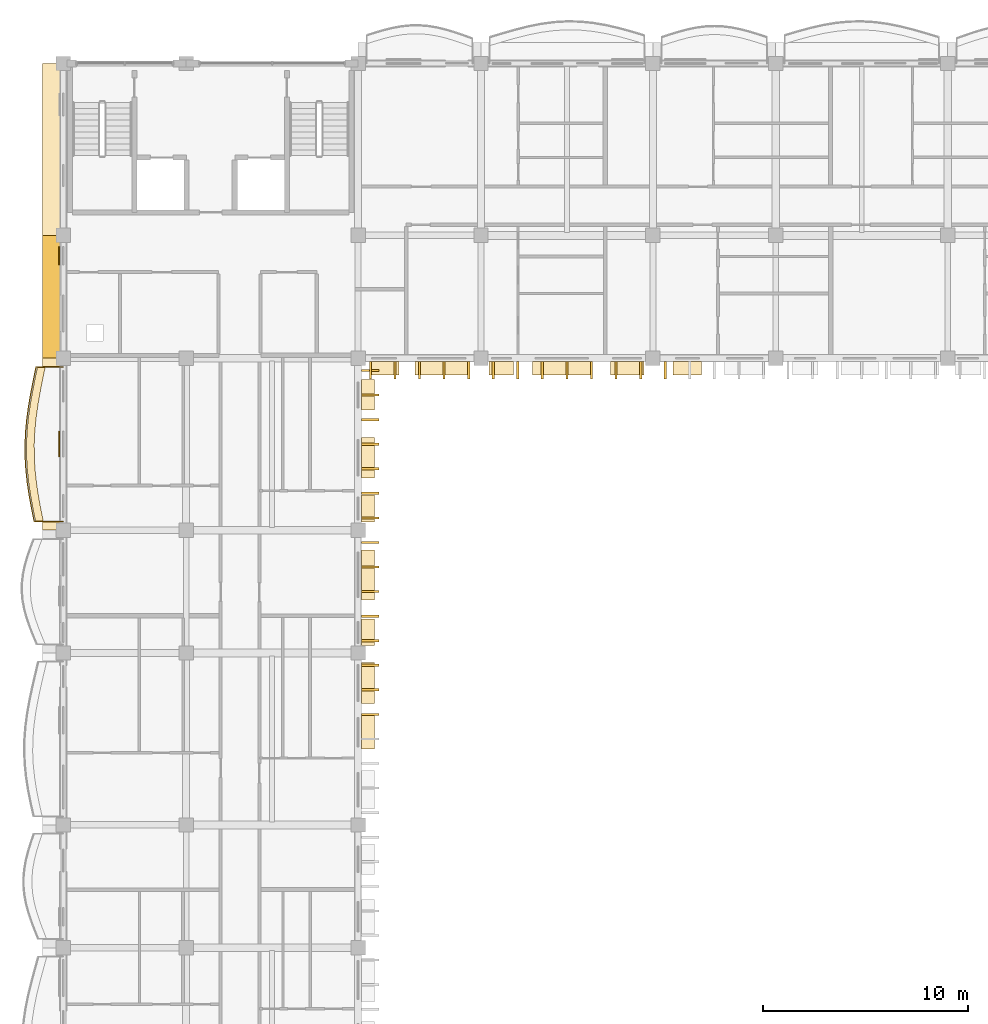
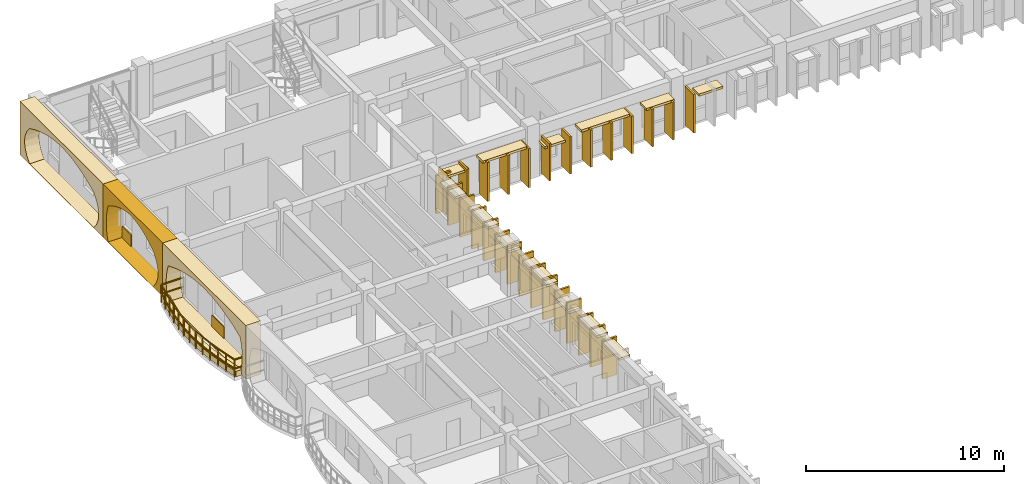
# One storey, part 50 of 70: 47 coverings, 1 railing.
"""IFC4 building model written with IfcOpenShell, lengths in metres."""

from ifc_helpers import new_model, si_unit, direction, frame, origin, origin_2d, place, context, subcontext, project, spatial, polyline, rectangle, outline, extrude, material, layer, layer_set, type_object, element, save


model = new_model("IFC4")

# Units and contexts
model_context = context("Model", 3, precision=1e-05, world=origin(), true_north=direction((0.0, 1.0)))
body_context = subcontext(model_context, "Body", "Model", "MODEL_VIEW")
ifc_project = project(units=[si_unit("LENGTHUNIT", "METRE"), si_unit("AREAUNIT", "SQUARE_METRE"), si_unit("VOLUMEUNIT", "CUBIC_METRE"), si_unit("PLANEANGLEUNIT", "RADIAN"), si_unit("MASSUNIT", "GRAM", prefix="KILO"), si_unit("THERMODYNAMICTEMPERATUREUNIT", "KELVIN")], contexts=[model_context])

# Site, building, storey
site_placement = place(None, origin())
site = spatial("IfcSite", under=ifc_project, at=site_placement, CompositionType="ELEMENT")
building_placement = place(site_placement, origin())
building = spatial("IfcBuilding", under=site, at=building_placement, Name="Thalorik Housing Commons", CompositionType="ELEMENT")
storey_placement = place(building_placement, frame((0.0, 0.0, 14.699951171875)))
storey = spatial("IfcBuildingStorey", under=building, at=storey_placement, Name="L04", CompositionType="ELEMENT", Elevation=14.699951171875)

# Coverings
ifc_material_1 = material(Name="Precast concrete C40/50", Category="concrete")
ifc_layer_1 = layer(ifc_material_1, 0.85009765625, Name="Precast concrete C40/50", Category="concrete")
ifc_layer_set_1 = layer_set([ifc_layer_1], Name="Precast concrete C40/50")
covering_type_1 = type_object("IfcCoveringType", Name="ARC-CLD-CUSH-850", PredefinedType="CLADDING", material=ifc_layer_set_1)
covering_1_placement = place(storey_placement, frame((7.81494140625, 119.39990234375, 0.0), z_axis=(0.0, 0.0, 1.0), x_axis=(0.0, -1.0, 0.0)))
element("IfcCovering", 1, at=covering_1_placement, inside=storey, type_object=covering_type_1, Name="L04 White Precast Curved Cushion Bay Frame 438", PredefinedType="CLADDING", context=body_context, shape_type="SweptSolid", body=[
    extrude(outline(polyline([(-4.199951171875, 0.0), (4.199951171875, 0.0), (4.199951171875, 3.300048828125), (-4.199951171875, 3.300048828125), (-4.199951171875, 0.0)]), holes=[polyline([(3.239990234375, 0.02490234375), (3.523193359375, 0.387451171875), (3.693359375, 0.75), (3.75, 1.112548828125), (3.693359375, 1.47509765625), (3.523193359375, 1.83740234375), (3.239990234375, 2.199951171875), (2.699951171875, 2.455810546875), (2.159912109375, 2.656494140625), (1.6201171875, 2.819091796875), (1.080078125, 2.940185546875), (0.5400390625, 3.014892578125), (0.0, 3.0400390625), (-0.5400390625, 3.014892578125), (-1.080078125, 2.940185546875), (-1.6201171875, 2.819091796875), (-2.159912109375, 2.656494140625), (-2.699951171875, 2.455810546875), (-3.239990234375, 2.199951171875), (-3.523193359375, 1.83740234375), (-3.693359375, 1.47509765625), (-3.75, 1.112548828125), (-3.693359375, 0.75), (-3.523193359375, 0.387451171875), (-3.239990234375, 0.02490234375), (3.239990234375, 0.02490234375)])]), frame((0.0, 0.425048828125, 0.0), z_axis=(0.0, -1.0, 0.0), x_axis=(1.0, 0.0, 0.0)), (0.0, 0.0, 1.0), 0.85009765625),
])
covering_2_placement = place(storey_placement, frame((7.81494140625, 112.199951171875, 0.0), z_axis=(0.0, 0.0, 1.0), x_axis=(0.0, -1.0, 0.0)))
element("IfcCovering", 2, at=covering_2_placement, inside=storey, type_object=covering_type_1, Name="L04 White Precast Curved Cushion Bay Frame 440", PredefinedType="CLADDING", context=body_context, shape_type="SweptSolid", body=[
    extrude(outline(polyline([(-3.0, 0.0), (3.0, 0.0), (3.0, 3.300048828125), (-3.0, 3.300048828125), (-3.0, 0.0)]), holes=[polyline([(2.0400390625, 0.02490234375), (2.3232421875, 0.394287109375), (2.493408203125, 0.76318359375), (2.550048828125, 1.132568359375), (2.493408203125, 1.501708984375), (2.3232421875, 1.870849609375), (2.0400390625, 2.239990234375), (1.661376953125, 2.4833984375), (1.282470703125, 2.6748046875), (0.90380859375, 2.82958984375), (0.52490234375, 2.94482421875), (0.146240234375, 3.01611328125), (-0.232421875, 3.0400390625), (-0.611328125, 3.01611328125), (-0.989990234375, 2.94482421875), (-1.36865234375, 2.82958984375), (-1.74755859375, 2.6748046875), (-2.126220703125, 2.4833984375), (-2.5048828125, 2.239990234375), (-2.609619140625, 1.870849609375), (-2.672119140625, 1.501708984375), (-2.693115234375, 1.132568359375), (-2.672119140625, 0.76318359375), (-2.609619140625, 0.394287109375), (-2.5048828125, 0.02490234375), (2.0400390625, 0.02490234375)])]), frame((0.0, 0.425048828125, 0.0), z_axis=(0.0, -1.0, 0.0), x_axis=(1.0, 0.0, 0.0)), (0.0, 0.0, 1.0), 0.85009765625),
])
covering_3_placement = place(storey_placement, frame((7.81494140625, 105.0, 0.0), z_axis=(0.0, 0.0, 1.0), x_axis=(0.0, -1.0, 0.0)))
element("IfcCovering", 3, at=covering_3_placement, inside=storey, type_object=covering_type_1, Name="L04 White Precast Curved Cushion Bay Frame 442", PredefinedType="CLADDING", context=body_context, shape_type="SweptSolid", body=[
    extrude(outline(polyline([(-4.199951171875, 0.0), (4.199951171875, 0.0), (4.199951171875, 3.300048828125), (-4.199951171875, 3.300048828125), (-4.199951171875, 0.0)]), holes=[polyline([(3.614990234375, 0.02490234375), (3.738525390625, 0.394287109375), (3.8125, 0.76318359375), (3.83740234375, 1.132568359375), (3.8125, 1.501708984375), (3.738525390625, 1.870849609375), (3.614990234375, 2.239990234375), (3.01123046875, 2.4833984375), (2.407470703125, 2.6748046875), (1.8037109375, 2.82958984375), (1.199951171875, 2.94482421875), (0.59619140625, 3.01611328125), (-0.007568359375, 3.0400390625), (-0.611328125, 3.01611328125), (-1.215087890625, 2.94482421875), (-1.818603515625, 2.82958984375), (-2.422607421875, 2.6748046875), (-3.026123046875, 2.4833984375), (-3.6298828125, 2.239990234375), (-3.750244140625, 1.870849609375), (-3.822509765625, 1.501708984375), (-3.8466796875, 1.132568359375), (-3.822509765625, 0.76318359375), (-3.750244140625, 0.394287109375), (-3.6298828125, 0.02490234375), (3.614990234375, 0.02490234375)])]), frame((0.0, 0.425048828125, 0.0), z_axis=(0.0, -1.0, 0.0), x_axis=(1.0, 0.0, 0.0)), (0.0, 0.0, 1.0), 0.85009765625),
])
ifc_layer_2 = layer(ifc_material_1, 0.85009765625, Name="Precast concrete C40/50", Category="concrete")
ifc_layer_set_2 = layer_set([ifc_layer_2], Name="Precast concrete C40/50")
covering_type_2 = type_object("IfcCoveringType", Name="ARC-CLD-FIN-850", PredefinedType="CLADDING", material=ifc_layer_set_2)
for number, where, z_axis, x_axis, name in (
    (4, (23.39990234375, 108.614990234375, 0.0400390625), (0.0, 0.0, 1.0), (1.0, 0.0, 0.0), "L04 Courtyard Precast Vertical Brise-Soleil Fin 370"),
    (5, (24.60009765625, 108.614990234375, 0.0400390625), (0.0, 0.0, 1.0), (1.0, 0.0, 0.0), "L04 Courtyard Precast Vertical Brise-Soleil Fin 371"),
    (6, (25.800048828125, 108.614990234375, 0.0400390625), (0.0, 0.0, 1.0), (1.0, 0.0, 0.0), "L04 Courtyard Precast Vertical Brise-Soleil Fin 372"),
    (7, (27.0, 108.614990234375, 0.0400390625), (0.0, 0.0, 1.0), (1.0, 0.0, 0.0), "L04 Courtyard Precast Vertical Brise-Soleil Fin 373"),
    (8, (28.199951171875, 108.614990234375, 0.0400390625), (0.0, 0.0, 1.0), (1.0, 0.0, 0.0), "L04 Courtyard Precast Vertical Brise-Soleil Fin 374"),
):
    element("IfcCovering", number, at=place(storey_placement, frame(where, z_axis=z_axis, x_axis=x_axis)), inside=storey, type_object=covering_type_2, Name=name, PredefinedType="CLADDING", context=body_context, shape_type="SweptSolid", body=[
        extrude(rectangle(XDim=0.110107421875, YDim=0.85009765625, at=origin_2d()), origin(), (0.0, 0.0, 1.0), 2.39501953125),
    ])
for number, where, z_axis, x_axis, name in (
    (9, (29.39990234375, 108.614990234375, 0.0400390625), (0.0, 0.0, 1.0), (1.0, 0.0, 0.0), "L04 Courtyard Precast Vertical Brise-Soleil Fin 377"),
    (10, (30.60009765625, 108.614990234375, 0.0400390625), (0.0, 0.0, 1.0), (1.0, 0.0, 0.0), "L04 Courtyard Precast Vertical Brise-Soleil Fin 378"),
    (11, (31.800048828125, 108.614990234375, 0.0400390625), (0.0, 0.0, 1.0), (1.0, 0.0, 0.0), "L04 Courtyard Precast Vertical Brise-Soleil Fin 379"),
    (12, (33.0, 108.614990234375, 0.0400390625), (0.0, 0.0, 1.0), (1.0, 0.0, 0.0), "L04 Courtyard Precast Vertical Brise-Soleil Fin 380"),
    (13, (34.199951171875, 108.614990234375, 0.0400390625), (0.0, 0.0, 1.0), (1.0, 0.0, 0.0), "L04 Courtyard Precast Vertical Brise-Soleil Fin 381"),
    (14, (35.39990234375, 108.614990234375, 0.0400390625), (0.0, 0.0, 1.0), (1.0, 0.0, 0.0), "L04 Courtyard Precast Vertical Brise-Soleil Fin 382"),
    (15, (36.60009765625, 108.614990234375, 0.0400390625), (0.0, 0.0, 1.0), (1.0, 0.0, 0.0), "L04 Courtyard Precast Vertical Brise-Soleil Fin 383"),
):
    element("IfcCovering", number, at=place(storey_placement, frame(where, z_axis=z_axis, x_axis=x_axis)), inside=storey, type_object=covering_type_2, Name=name, PredefinedType="CLADDING", context=body_context, shape_type="SweptSolid", body=[
        extrude(rectangle(XDim=0.110107421875, YDim=0.85009765625, at=origin_2d()), origin(), (0.0, 0.0, 1.0), 2.294921875),
    ])
covering_4_placement = place(storey_placement, frame((37.800048828125, 108.614990234375, 0.0400390625), z_axis=(0.0, 0.0, 1.0), x_axis=(1.0, 0.0, 0.0)))
element("IfcCovering", 16, at=covering_4_placement, inside=storey, type_object=covering_type_2, Name="L04 Courtyard Precast Vertical Brise-Soleil Fin 387", PredefinedType="CLADDING", context=body_context, shape_type="SweptSolid", body=[
    extrude(rectangle(XDim=0.110107421875, YDim=0.85009765625, at=origin_2d()), origin(), (0.0, 0.0, 1.0), 2.39501953125),
])
for number, where, z_axis, x_axis, name in (
    (17, (23.385009765625, 91.800048828125, 0.0400390625), (0.0, 0.0, 1.0), (0.0, 1.0, 0.0), "L04 Courtyard Precast Vertical Brise-Soleil Fin 490"),
    (18, (23.385009765625, 93.0, 0.0400390625), (0.0, 0.0, 1.0), (0.0, 1.0, 0.0), "L04 Courtyard Precast Vertical Brise-Soleil Fin 491"),
    (19, (23.385009765625, 94.199951171875, 0.0400390625), (0.0, 0.0, 1.0), (0.0, 1.0, 0.0), "L04 Courtyard Precast Vertical Brise-Soleil Fin 492"),
):
    element("IfcCovering", number, at=place(storey_placement, frame(where, z_axis=z_axis, x_axis=x_axis)), inside=storey, type_object=covering_type_2, Name=name, PredefinedType="CLADDING", context=body_context, shape_type="SweptSolid", body=[
        extrude(rectangle(XDim=0.110107421875, YDim=0.85009765625, at=origin_2d()), origin(), (0.0, 0.0, 1.0), 2.344970703125),
    ])
for number, where, z_axis, x_axis, name in (
    (20, (23.385009765625, 95.39990234375, 0.0400390625), (0.0, 0.0, 1.0), (0.0, 1.0, 0.0), "L04 Courtyard Precast Vertical Brise-Soleil Fin 496"),
    (21, (23.385009765625, 96.60009765625, 0.0400390625), (0.0, 0.0, 1.0), (0.0, 1.0, 0.0), "L04 Courtyard Precast Vertical Brise-Soleil Fin 497"),
    (22, (23.385009765625, 97.800048828125, 0.0400390625), (0.0, 0.0, 1.0), (0.0, 1.0, 0.0), "L04 Courtyard Precast Vertical Brise-Soleil Fin 498"),
    (23, (23.385009765625, 99.0, 0.0400390625), (0.0, 0.0, 1.0), (0.0, 1.0, 0.0), "L04 Courtyard Precast Vertical Brise-Soleil Fin 499"),
    (24, (23.385009765625, 100.199951171875, 0.0400390625), (0.0, 0.0, 1.0), (0.0, 1.0, 0.0), "L04 Courtyard Precast Vertical Brise-Soleil Fin 500"),
):
    element("IfcCovering", number, at=place(storey_placement, frame(where, z_axis=z_axis, x_axis=x_axis)), inside=storey, type_object=covering_type_2, Name=name, PredefinedType="CLADDING", context=body_context, shape_type="SweptSolid", body=[
        extrude(rectangle(XDim=0.110107421875, YDim=0.85009765625, at=origin_2d()), origin(), (0.0, 0.0, 1.0), 2.4951171875),
    ])
for number, where, z_axis, x_axis, name in (
    (25, (23.385009765625, 101.39990234375, 0.0400390625), (0.0, 0.0, 1.0), (0.0, 1.0, 0.0), "L04 Courtyard Precast Vertical Brise-Soleil Fin 503"),
    (26, (23.385009765625, 102.60009765625, 0.0400390625), (0.0, 0.0, 1.0), (0.0, 1.0, 0.0), "L04 Courtyard Precast Vertical Brise-Soleil Fin 504"),
    (27, (23.385009765625, 103.800048828125, 0.0400390625), (0.0, 0.0, 1.0), (0.0, 1.0, 0.0), "L04 Courtyard Precast Vertical Brise-Soleil Fin 505"),
    (28, (23.385009765625, 105.0, 0.0400390625), (0.0, 0.0, 1.0), (0.0, 1.0, 0.0), "L04 Courtyard Precast Vertical Brise-Soleil Fin 506"),
    (29, (23.385009765625, 106.199951171875, 0.0400390625), (0.0, 0.0, 1.0), (0.0, 1.0, 0.0), "L04 Courtyard Precast Vertical Brise-Soleil Fin 507"),
    (30, (23.385009765625, 107.39990234375, 0.0400390625), (0.0, 0.0, 1.0), (0.0, 1.0, 0.0), "L04 Courtyard Precast Vertical Brise-Soleil Fin 508"),
    (31, (23.385009765625, 108.60009765625, 0.0400390625), (0.0, 0.0, 1.0), (0.0, 1.0, 0.0), "L04 Courtyard Precast Vertical Brise-Soleil Fin 509"),
):
    element("IfcCovering", number, at=place(storey_placement, frame(where, z_axis=z_axis, x_axis=x_axis)), inside=storey, type_object=covering_type_2, Name=name, PredefinedType="CLADDING", context=body_context, shape_type="SweptSolid", body=[
        extrude(rectangle(XDim=0.110107421875, YDim=0.85009765625, at=origin_2d()), origin(), (0.0, 0.0, 1.0), 2.344970703125),
    ])
ifc_layer_3 = layer(ifc_material_1, 0.64990234375, Name="Precast concrete C40/50", Category="concrete")
ifc_layer_set_3 = layer_set([ifc_layer_3], Name="Precast concrete C40/50")
covering_type_3 = type_object("IfcCoveringType", Name="ARC-CLD-HOOD-650", PredefinedType="CLADDING", material=ifc_layer_set_3)
covering_5_placement = place(storey_placement, frame((24.070068359375, 108.715087890625, 2.14013671875), z_axis=(0.0, 0.0, 1.0), x_axis=(1.0, 0.0, 0.0)))
element("IfcCovering", 32, at=covering_5_placement, inside=storey, type_object=covering_type_3, Name="L04 Courtyard Precast Window Sun-Hood 375", PredefinedType="CLADDING", context=body_context, shape_type="SweptSolid", body=[
    extrude(rectangle(XDim=1.43994140625, YDim=0.64990234375, at=origin_2d()), origin(), (0.0, 0.0, 1.0), 0.139892578125),
])
covering_6_placement = place(storey_placement, frame((26.8798828125, 108.715087890625, 2.3251953125), z_axis=(0.0, 0.0, 1.0), x_axis=(1.0, 0.0, 0.0)))
element("IfcCovering", 33, at=covering_6_placement, inside=storey, type_object=covering_type_3, Name="L04 Courtyard Precast Window Sun-Hood 376", PredefinedType="CLADDING", context=body_context, shape_type="SweptSolid", body=[
    extrude(rectangle(XDim=2.590087890625, YDim=0.64990234375, at=origin_2d()), origin(), (0.0, 0.0, 1.0), 0.139892578125),
])
covering_7_placement = place(storey_placement, frame((29.800048828125, 108.715087890625, 1.93994140625), z_axis=(0.0, 0.0, 1.0), x_axis=(1.0, 0.0, 0.0)))
element("IfcCovering", 34, at=covering_7_placement, inside=storey, type_object=covering_type_3, Name="L04 Courtyard Precast Window Sun-Hood 384", PredefinedType="CLADDING", context=body_context, shape_type="SweptSolid", body=[
    extrude(rectangle(XDim=1.18994140625, YDim=0.64990234375, at=origin_2d()), origin(), (0.0, 0.0, 1.0), 0.139892578125),
])
covering_8_placement = place(storey_placement, frame((32.739990234375, 108.715087890625, 2.22509765625), z_axis=(0.0, 0.0, 1.0), x_axis=(1.0, 0.0, 0.0)))
element("IfcCovering", 35, at=covering_8_placement, inside=storey, type_object=covering_type_3, Name="L04 Courtyard Precast Window Sun-Hood 385", PredefinedType="CLADDING", context=body_context, shape_type="SweptSolid", body=[
    extrude(rectangle(XDim=2.820068359375, YDim=0.64990234375, at=origin_2d()), origin(), (0.0, 0.0, 1.0), 0.139892578125),
])
covering_9_placement = place(storey_placement, frame((35.93994140625, 108.715087890625, 2.22509765625), z_axis=(0.0, 0.0, 1.0), x_axis=(1.0, 0.0, 0.0)))
element("IfcCovering", 36, at=covering_9_placement, inside=storey, type_object=covering_type_3, Name="L04 Courtyard Precast Window Sun-Hood 386", PredefinedType="CLADDING", context=body_context, shape_type="SweptSolid", body=[
    extrude(rectangle(XDim=1.639892578125, YDim=0.64990234375, at=origin_2d()), origin(), (0.0, 0.0, 1.0), 0.139892578125),
])
covering_10_placement = place(storey_placement, frame((38.882568359375, 108.715087890625, 2.0400390625), z_axis=(0.0, 0.0, 1.0), x_axis=(1.0, 0.0, 0.0)))
element("IfcCovering", 37, at=covering_10_placement, inside=storey, type_object=covering_type_3, Name="L04 Courtyard Precast Window Sun-Hood 392", PredefinedType="CLADDING", context=body_context, shape_type="SweptSolid", body=[
    extrude(rectangle(XDim=1.389892578125, YDim=0.64990234375, at=origin_2d()), origin(), (0.0, 0.0, 1.0), 0.139892578125),
])
covering_11_placement = place(storey_placement, frame((23.284912109375, 90.934326171875, 2.169921875), z_axis=(0.0, 0.0, 1.0), x_axis=(0.0, 1.0, 0.0)))
element("IfcCovering", 38, at=covering_11_placement, inside=storey, type_object=covering_type_3, Name="L04 Courtyard Precast Window Sun-Hood 494", PredefinedType="CLADDING", context=body_context, shape_type="SweptSolid", body=[
    extrude(rectangle(XDim=1.659912109375, YDim=0.64990234375, at=origin_2d()), origin(), (0.0, 0.0, 1.0), 0.139892578125),
])
covering_12_placement = place(storey_placement, frame((23.284912109375, 93.338134765625, 2.2099609375), z_axis=(0.0, 0.0, 1.0), x_axis=(0.0, 1.0, 0.0)))
element("IfcCovering", 39, at=covering_12_placement, inside=storey, type_object=covering_type_3, Name="L04 Courtyard Precast Window Sun-Hood 495", PredefinedType="CLADDING", context=body_context, shape_type="SweptSolid", body=[
    extrude(rectangle(XDim=2.02001953125, YDim=0.64990234375, at=origin_2d()), origin(), (0.0, 0.0, 1.0), 0.139892578125),
])
covering_13_placement = place(storey_placement, frame((23.284912109375, 95.804931640625, 1.990234375), z_axis=(0.0, 0.0, 1.0), x_axis=(0.0, 1.0, 0.0)))
element("IfcCovering", 40, at=covering_13_placement, inside=storey, type_object=covering_type_3, Name="L04 Courtyard Precast Window Sun-Hood 501", PredefinedType="CLADDING", context=body_context, shape_type="SweptSolid", body=[
    extrude(rectangle(XDim=1.2900390625, YDim=0.64990234375, at=origin_2d()), origin(), (0.0, 0.0, 1.0), 0.139892578125),
])
covering_14_placement = place(storey_placement, frame((23.284912109375, 98.614990234375, 2.2900390625), z_axis=(0.0, 0.0, 1.0), x_axis=(0.0, 1.0, 0.0)))
element("IfcCovering", 41, at=covering_14_placement, inside=storey, type_object=covering_type_3, Name="L04 Courtyard Precast Window Sun-Hood 502", PredefinedType="CLADDING", context=body_context, shape_type="SweptSolid", body=[
    extrude(rectangle(XDim=2.43994140625, YDim=0.64990234375, at=origin_2d()), origin(), (0.0, 0.0, 1.0), 0.139892578125),
])
covering_15_placement = place(storey_placement, frame((23.284912109375, 101.85791015625, 2.09033203125), z_axis=(0.0, 0.0, 1.0), x_axis=(0.0, 1.0, 0.0)))
element("IfcCovering", 42, at=covering_15_placement, inside=storey, type_object=covering_type_3, Name="L04 Courtyard Precast Window Sun-Hood 510", PredefinedType="CLADDING", context=body_context, shape_type="SweptSolid", body=[
    extrude(rectangle(XDim=1.340087890625, YDim=0.64990234375, at=origin_2d()), origin(), (0.0, 0.0, 1.0), 0.139892578125),
])
covering_16_placement = place(storey_placement, frame((23.284912109375, 104.331787109375, 2.240234375), z_axis=(0.0, 0.0, 1.0), x_axis=(0.0, 1.0, 0.0)))
element("IfcCovering", 43, at=covering_16_placement, inside=storey, type_object=covering_type_3, Name="L04 Courtyard Precast Window Sun-Hood 511", PredefinedType="CLADDING", context=body_context, shape_type="SweptSolid", body=[
    extrude(rectangle(XDim=1.989990234375, YDim=0.64990234375, at=origin_2d()), origin(), (0.0, 0.0, 1.0), 0.139892578125),
])
covering_17_placement = place(storey_placement, frame((23.284912109375, 107.40380859375, 2.09033203125), z_axis=(0.0, 0.0, 1.0), x_axis=(0.0, 1.0, 0.0)))
element("IfcCovering", 44, at=covering_17_placement, inside=storey, type_object=covering_type_3, Name="L04 Courtyard Precast Window Sun-Hood 512", PredefinedType="CLADDING", context=body_context, shape_type="SweptSolid", body=[
    extrude(rectangle(XDim=1.489990234375, YDim=0.64990234375, at=origin_2d()), origin(), (0.0, 0.0, 1.0), 0.139892578125),
])
ifc_material_2 = material(Name="Terracotta red mineral fibre-cement panel", Category="masonry")
ifc_layer_4 = layer(ifc_material_2, 0.054931640625, Name="Terracotta red mineral fibre-cement panel", Category="masonry")
ifc_layer_set_4 = layer_set([ifc_layer_4], Name="Terracotta red mineral fibre-cement panel")
covering_type_4 = type_object("IfcCoveringType", Name="ARC-CLD-RED-55", PredefinedType="CLADDING", material=ifc_layer_set_4)
covering_18_placement = place(storey_placement, frame((8.20751953125, 105.0048828125, 0.05029296875), z_axis=(0.0, 0.0, 1.0), x_axis=(0.0, -1.0, 0.0)))
element("IfcCovering", 45, at=covering_18_placement, inside=storey, type_object=covering_type_4, Name="L04 De Stijl Recessed Window Spandrel 443", PredefinedType="CLADDING", context=body_context, shape_type="SweptSolid", body=[
    extrude(rectangle(XDim=1.25, YDim=0.054931640625, at=origin_2d()), origin(), (0.0, 0.0, 1.0), 0.699951171875),
])
ifc_material_3 = material(Name="Mineral ochre architectural terracotta panel", Category="masonry")
ifc_layer_5 = layer(ifc_material_3, 0.06494140625, Name="Mineral ochre architectural terracotta panel", Category="masonry")
ifc_layer_set_5 = layer_set([ifc_layer_5], Name="Mineral ochre architectural terracotta panel")
covering_type_5 = type_object("IfcCoveringType", Name="ARC-CLD-YEL-65", PredefinedType="CLADDING", material=ifc_layer_set_5)
covering_19_placement = place(storey_placement, frame((8.202392578125, 114.205078125, 0.05029296875), z_axis=(0.0, 0.0, 1.0), x_axis=(0.0, -1.0, 0.0)))
element("IfcCovering", 46, at=covering_19_placement, inside=storey, type_object=covering_type_5, Name="L04 De Stijl Recessed Window Spandrel 441", PredefinedType="CLADDING", context=body_context, shape_type="SweptSolid", body=[
    extrude(rectangle(XDim=0.89990234375, YDim=0.06494140625, at=origin_2d()), origin(), (0.0, 0.0, 1.0), 0.699951171875),
])
ifc_material_4 = material(Name="Planted vegetated substrate and terracotta trough", Category="masonry")
ifc_layer_6 = layer(ifc_material_4, 0.340087890625, Name="Planted vegetated substrate and terracotta trough", Category="masonry")
ifc_layer_set_6 = layer_set([ifc_layer_6], Name="Planted vegetated substrate and terracotta trough")
covering_type_6 = type_object("IfcCoveringType", Name="ARC-COV-PLANTER", PredefinedType="USERDEFINED", material=ifc_layer_set_6)
covering_20_placement = place(storey_placement, origin())
element("IfcCovering", 47, at=covering_20_placement, inside=storey, type_object=covering_type_6, Name="L04 Balcony Slab-Edge Planted Trough 5346", ObjectType="PLANTER", PredefinedType="USERDEFINED", context=body_context, shape_type="SweptSolid", body=[
    extrude(outline(polyline([(7.1376953125, 108.780029296875), (7.0087890625, 108.14990234375), (6.885498046875, 107.52001953125), (6.7763671875, 106.889892578125), (6.6884765625, 106.260009765625), (6.6279296875, 105.6298828125), (6.598876953125, 105.0), (6.603271484375, 104.3701171875), (6.640869140625, 103.739990234375), (6.70947265625, 103.110107421875), (6.80419921875, 102.47998046875), (6.91943359375, 101.85009765625), (7.047119140625, 101.219970703125), (7.427001953125, 101.219970703125), (7.29931640625, 101.85009765625), (7.184326171875, 102.47998046875), (7.08935546875, 103.110107421875), (7.02099609375, 103.739990234375), (6.9833984375, 104.3701171875), (6.97900390625, 105.0), (7.008056640625, 105.6298828125), (7.068603515625, 106.260009765625), (7.15625, 106.889892578125), (7.265380859375, 107.52001953125), (7.388671875, 108.14990234375), (7.517822265625, 108.780029296875), (7.1376953125, 108.780029296875)])), origin(), (0.0, 0.0, 1.0), 0.340087890625),
])

# Railing
ifc_material_5 = material(Name="Steel S355", Category="steel")
railing_type = type_object("IfcRailingType", Name="ARC-RL-BAL-112", PredefinedType="BALUSTRADE", material=ifc_material_5)
railing_placement = place(storey_placement, frame((8.39990234375, 108.780029296875, 0.0)))
element("IfcRailing", 48, at=railing_placement, inside=storey, type_object=railing_type, Name="L04 Cushion Balcony Guardrail 30", PredefinedType="BALUSTRADE", context=body_context, shape_type="SweptSolid", body=[
    extrude(rectangle(XDim=0.050048828125, YDim=0.050048828125, at=origin_2d()), frame((0.0, 0.0, 1.09521484375), z_axis=(-1.0, 0.0, 0.0), x_axis=(0.0, -1.0, 0.0)), (0.0, 0.0, 1.0), 1.33203125),
    extrude(rectangle(XDim=0.050048828125, YDim=0.050048828125, at=origin_2d()), frame((0.0, 0.0, 0.53515625), z_axis=(-1.0, 0.0, 0.0), x_axis=(0.0, -1.0, 0.0)), (0.0, 0.0, 1.0), 1.33203125),
    extrude(rectangle(XDim=0.050048828125, YDim=0.050048828125, at=origin_2d()), frame((-1.33203125, 0.0, 1.09521484375), z_axis=(-0.200785373927, -0.979635255397, 0.0), x_axis=(0.979635255397, -0.200785373927, 0.0)), (0.0, 0.0, 1.0), 0.643310546875),
    extrude(rectangle(XDim=0.050048828125, YDim=0.050048828125, at=origin_2d()), frame((-1.33203125, 0.0, 0.53515625), z_axis=(-0.200785373927, -0.979635255397, 0.0), x_axis=(0.979635255397, -0.200785373927, 0.0)), (0.0, 0.0, 1.0), 0.643310546875),
    extrude(rectangle(XDim=0.050048828125, YDim=0.050048828125, at=origin_2d()), frame((-1.461181640625, -0.630126953125, 1.09521484375), z_axis=(-0.192091248087, -0.981377069433, 0.0), x_axis=(0.981377069433, -0.192091248087, 0.0)), (0.0, 0.0, 1.0), 0.641845703125),
    extrude(rectangle(XDim=0.050048828125, YDim=0.050048828125, at=origin_2d()), frame((-1.461181640625, -0.630126953125, 0.53515625), z_axis=(-0.192091248087, -0.981377069433, 0.0), x_axis=(0.981377069433, -0.192091248087, 0.0)), (0.0, 0.0, 1.0), 0.641845703125),
    extrude(rectangle(XDim=0.050048828125, YDim=0.050048828125, at=origin_2d()), frame((-1.58447265625, -1.260009765625, 1.09521484375), z_axis=(-0.170648353941, -0.985331994455, 0.0), x_axis=(0.985331994455, -0.170648353941, 0.0)), (0.0, 0.0, 1.0), 0.639404296875),
    extrude(rectangle(XDim=0.050048828125, YDim=0.050048828125, at=origin_2d()), frame((-1.58447265625, -1.260009765625, 0.53515625), z_axis=(-0.170648353941, -0.985331994455, 0.0), x_axis=(0.985331994455, -0.170648353941, 0.0)), (0.0, 0.0, 1.0), 0.639404296875),
    extrude(rectangle(XDim=0.050048828125, YDim=0.050048828125, at=origin_2d()), frame((-1.693603515625, -1.89013671875, 1.09521484375), z_axis=(-0.138196031911, -0.990404895365, 0.0), x_axis=(0.990404895365, -0.138196031911, 0.0)), (0.0, 0.0, 1.0), 0.635986328125),
    extrude(rectangle(XDim=0.050048828125, YDim=0.050048828125, at=origin_2d()), frame((-1.693603515625, -1.89013671875, 0.53515625), z_axis=(-0.138196031911, -0.990404895365, 0.0), x_axis=(0.990404895365, -0.138196031911, 0.0)), (0.0, 0.0, 1.0), 0.635986328125),
    extrude(rectangle(XDim=0.050048828125, YDim=0.050048828125, at=origin_2d()), frame((-1.781494140625, -2.52001953125, 1.09521484375), z_axis=(-0.095264103918, -0.995452033252, 0.0), x_axis=(0.995452033252, -0.095264103918, 0.0)), (0.0, 0.0, 1.0), 0.633056640625),
    extrude(rectangle(XDim=0.050048828125, YDim=0.050048828125, at=origin_2d()), frame((-1.781494140625, -2.52001953125, 0.53515625), z_axis=(-0.095264103918, -0.995452033252, 0.0), x_axis=(0.995452033252, -0.095264103918, 0.0)), (0.0, 0.0, 1.0), 0.633056640625),
    extrude(rectangle(XDim=0.050048828125, YDim=0.050048828125, at=origin_2d()), frame((-1.841796875, -3.150146484375, 1.09521484375), z_axis=(-0.046461399352, -0.998920086078, 0.0), x_axis=(0.998920086078, -0.046461399352, 0.0)), (0.0, 0.0, 1.0), 0.630615234375),
    extrude(rectangle(XDim=0.050048828125, YDim=0.050048828125, at=origin_2d()), frame((-1.841796875, -3.150146484375, 0.53515625), z_axis=(-0.046461399352, -0.998920086078, 0.0), x_axis=(0.998920086078, -0.046461399352, 0.0)), (0.0, 0.0, 1.0), 0.630615234375),
    extrude(rectangle(XDim=0.050048828125, YDim=0.050048828125, at=origin_2d()), frame((-1.87109375, -3.780029296875, 1.09521484375), z_axis=(0.006976574396, -0.999975663409, 0.0), x_axis=(0.999975663409, 0.006976574396, 0.0)), (0.0, 0.0, 1.0), 0.6298828125),
    extrude(rectangle(XDim=0.050048828125, YDim=0.050048828125, at=origin_2d()), frame((-1.87109375, -3.780029296875, 0.53515625), z_axis=(0.006976574396, -0.999975663409, 0.0), x_axis=(0.999975663409, 0.006976574396, 0.0)), (0.0, 0.0, 1.0), 0.6298828125),
    extrude(rectangle(XDim=0.050048828125, YDim=0.050048828125, at=origin_2d()), frame((-1.86669921875, -4.409912109375, 1.09521484375), z_axis=(0.059560867898, -0.998224675619, 0.0), x_axis=(0.998224675619, 0.059560867898, 0.0)), (0.0, 0.0, 1.0), 0.63134765625),
    extrude(rectangle(XDim=0.050048828125, YDim=0.050048828125, at=origin_2d()), frame((-1.86669921875, -4.409912109375, 0.53515625), z_axis=(0.059560867898, -0.998224675619, 0.0), x_axis=(0.998224675619, 0.059560867898, 0.0)), (0.0, 0.0, 1.0), 0.63134765625),
    extrude(rectangle(XDim=0.050048828125, YDim=0.050048828125, at=origin_2d()), frame((-1.8291015625, -5.0400390625, 1.09521484375), z_axis=(0.108274423732, -0.994121043518, 0.0), x_axis=(0.994121043518, 0.108274423732, 0.0)), (0.0, 0.0, 1.0), 0.633544921875),
    extrude(rectangle(XDim=0.050048828125, YDim=0.050048828125, at=origin_2d()), frame((-1.8291015625, -5.0400390625, 0.53515625), z_axis=(0.108274423732, -0.994121043518, 0.0), x_axis=(0.994121043518, 0.108274423732, 0.0)), (0.0, 0.0, 1.0), 0.633544921875),
    extrude(rectangle(XDim=0.050048828125, YDim=0.050048828125, at=origin_2d()), frame((-1.760498046875, -5.669921875, 1.09521484375), z_axis=(0.149033591629, -0.988832133664, 0.0), x_axis=(0.988832133664, 0.149033591629, 0.0)), (0.0, 0.0, 1.0), 0.63720703125),
    extrude(rectangle(XDim=0.050048828125, YDim=0.050048828125, at=origin_2d()), frame((-1.760498046875, -5.669921875, 0.53515625), z_axis=(0.149033591629, -0.988832133664, 0.0), x_axis=(0.988832133664, 0.149033591629, 0.0)), (0.0, 0.0, 1.0), 0.63720703125),
    extrude(rectangle(XDim=0.050048828125, YDim=0.050048828125, at=origin_2d()), frame((-1.66552734375, -6.300048828125, 1.09521484375), z_axis=(0.1795900258, -0.983741542598, 0.0), x_axis=(0.983741542598, 0.1795900258, 0.0)), (0.0, 0.0, 1.0), 0.640380859375),
    extrude(rectangle(XDim=0.050048828125, YDim=0.050048828125, at=origin_2d()), frame((-1.66552734375, -6.300048828125, 0.53515625), z_axis=(0.1795900258, -0.983741542598, 0.0), x_axis=(0.983741542598, 0.1795900258, 0.0)), (0.0, 0.0, 1.0), 0.640380859375),
    extrude(rectangle(XDim=0.050048828125, YDim=0.050048828125, at=origin_2d()), frame((-1.550537109375, -6.929931640625, 1.09521484375), z_axis=(0.198598350989, -0.980080963484, 0.0), x_axis=(0.980080963484, 0.198598350989, 0.0)), (0.0, 0.0, 1.0), 0.642822265625),
    extrude(rectangle(XDim=0.050048828125, YDim=0.050048828125, at=origin_2d()), frame((-1.550537109375, -6.929931640625, 0.53515625), z_axis=(0.198598350989, -0.980080963484, 0.0), x_axis=(0.980080963484, 0.198598350989, 0.0)), (0.0, 0.0, 1.0), 0.642822265625),
    extrude(rectangle(XDim=0.050048828125, YDim=0.050048828125, at=origin_2d()), frame((-1.4228515625, -7.56005859375, 1.09521484375), z_axis=(1.0, 0.0, 0.0), x_axis=(0.0, 1.0, 0.0)), (0.0, 0.0, 1.0), 1.4228515625),
    extrude(rectangle(XDim=0.050048828125, YDim=0.050048828125, at=origin_2d()), frame((-1.4228515625, -7.56005859375, 0.53515625), z_axis=(1.0, 0.0, 0.0), x_axis=(0.0, 1.0, 0.0)), (0.0, 0.0, 1.0), 1.4228515625),
    extrude(rectangle(XDim=0.0419921875, YDim=0.0419921875, at=origin_2d()), origin(), (0.0, 0.0, 1.0), 1.070068359375),
    extrude(rectangle(XDim=0.0419921875, YDim=0.0419921875, at=origin_2d()), frame((-1.33203125, 0.0, 0.0)), (0.0, 0.0, 1.0), 1.070068359375),
    extrude(rectangle(XDim=0.0419921875, YDim=0.0419921875, at=origin_2d()), frame((-1.461181640625, -0.630126953125, 0.0)), (0.0, 0.0, 1.0), 1.070068359375),
    extrude(rectangle(XDim=0.0419921875, YDim=0.0419921875, at=origin_2d()), frame((-1.58447265625, -1.260009765625, 0.0)), (0.0, 0.0, 1.0), 1.070068359375),
    extrude(rectangle(XDim=0.0419921875, YDim=0.0419921875, at=origin_2d()), frame((-1.693603515625, -1.89013671875, 0.0)), (0.0, 0.0, 1.0), 1.070068359375),
    extrude(rectangle(XDim=0.0419921875, YDim=0.0419921875, at=origin_2d()), frame((-1.781494140625, -2.52001953125, 0.0)), (0.0, 0.0, 1.0), 1.070068359375),
    extrude(rectangle(XDim=0.0419921875, YDim=0.0419921875, at=origin_2d()), frame((-1.841796875, -3.150146484375, 0.0)), (0.0, 0.0, 1.0), 1.070068359375),
    extrude(rectangle(XDim=0.0419921875, YDim=0.0419921875, at=origin_2d()), frame((-1.87109375, -3.780029296875, 0.0)), (0.0, 0.0, 1.0), 1.070068359375),
    extrude(rectangle(XDim=0.0419921875, YDim=0.0419921875, at=origin_2d()), frame((-1.86669921875, -4.409912109375, 0.0)), (0.0, 0.0, 1.0), 1.070068359375),
    extrude(rectangle(XDim=0.0419921875, YDim=0.0419921875, at=origin_2d()), frame((-1.8291015625, -5.0400390625, 0.0)), (0.0, 0.0, 1.0), 1.070068359375),
    extrude(rectangle(XDim=0.0419921875, YDim=0.0419921875, at=origin_2d()), frame((-1.760498046875, -5.669921875, 0.0)), (0.0, 0.0, 1.0), 1.070068359375),
    extrude(rectangle(XDim=0.0419921875, YDim=0.0419921875, at=origin_2d()), frame((-1.66552734375, -6.300048828125, 0.0)), (0.0, 0.0, 1.0), 1.070068359375),
    extrude(rectangle(XDim=0.0419921875, YDim=0.0419921875, at=origin_2d()), frame((-1.550537109375, -6.929931640625, 0.0)), (0.0, 0.0, 1.0), 1.070068359375),
    extrude(rectangle(XDim=0.0419921875, YDim=0.0419921875, at=origin_2d()), frame((-1.4228515625, -7.56005859375, 0.0)), (0.0, 0.0, 1.0), 1.070068359375),
    extrude(rectangle(XDim=0.0419921875, YDim=0.0419921875, at=origin_2d()), frame((0.0, -7.56005859375, 0.0)), (0.0, 0.0, 1.0), 1.070068359375),
])

save(model, "model.ifc")
